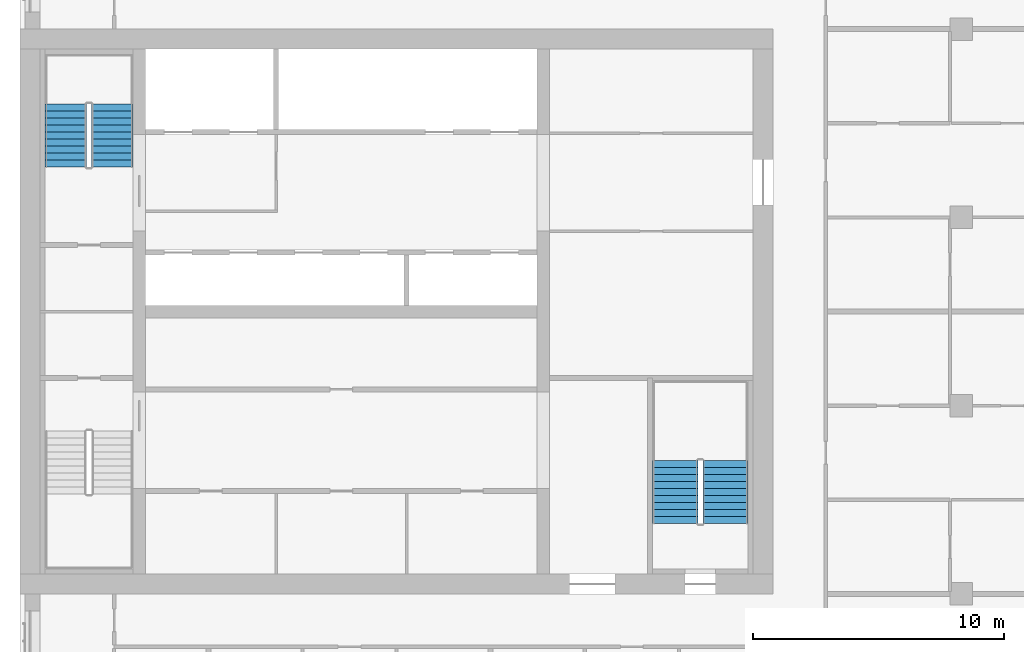
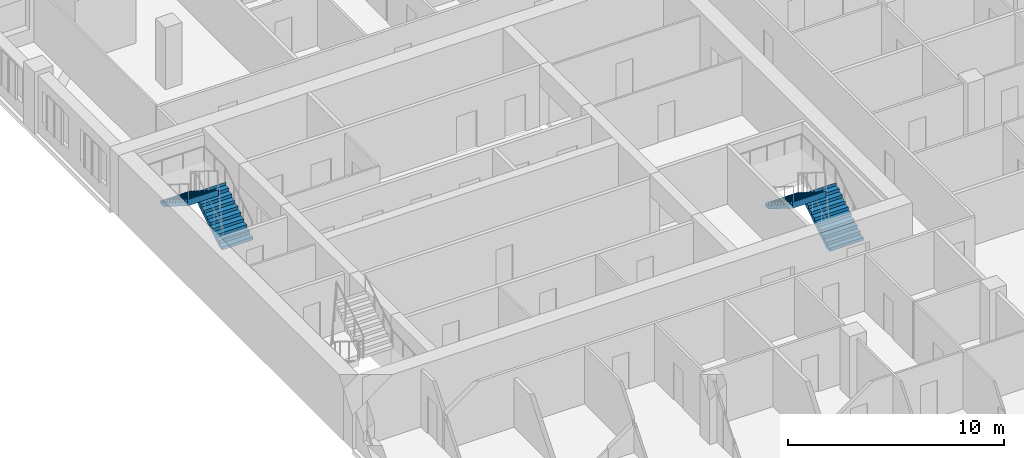
# One storey, part 13 of 14: 4 stair flights, 2 elements without a shape of their own.
"""IFC4 building model written with IfcOpenShell, lengths in metres."""

from ifc_helpers import new_model, si_unit, direction, frame, origin, place, context, subcontext, project, spatial, polyline, outline, extrude, material, type_object, element, aggregate, save


model = new_model("IFC4")

# Units and contexts
model_context = context("Model", 3, precision=1e-05, world=origin(), true_north=direction((0.0, 1.0)))
body_context = subcontext(model_context, "Body", "Model", "MODEL_VIEW")
ifc_project = project(units=[si_unit("LENGTHUNIT", "METRE"), si_unit("AREAUNIT", "SQUARE_METRE"), si_unit("VOLUMEUNIT", "CUBIC_METRE"), si_unit("PLANEANGLEUNIT", "RADIAN"), si_unit("MASSUNIT", "GRAM", prefix="KILO")], contexts=[model_context])

# Site, building, storey
site_placement = place(None, origin())
site = spatial("IfcSite", under=ifc_project, at=site_placement, CompositionType="ELEMENT")
building_placement = place(site_placement, origin())
building = spatial("IfcBuilding", under=site, at=building_placement, Name="Tamorin Gate", CompositionType="ELEMENT")
storey_placement = place(building_placement, frame((0.0, 0.0, 179.199951171875)))
storey = spatial("IfcBuildingStorey", under=building, at=storey_placement, Name="L43", CompositionType="ELEMENT", Elevation=179.199951171875)

# Stair, stair flights
ifc_material = material(Name="Concrete C40/50", Category="concrete")
stair_type = type_object("IfcStairType", Name="Exit stair", PredefinedType="HALF_TURN_STAIR", material=ifc_material)
stair_1_placement = place(storey_placement, origin())
stair_1 = element("IfcStair", 1, at=stair_1_placement, inside=storey, type_object=stair_type, Name="L43 stair ST2", PredefinedType="HALF_TURN_STAIR")
stair_flight_type = type_object("IfcStairFlightType", Name="Exit stair flight", PredefinedType="STRAIGHT", material=ifc_material)
stair_flight_1_placement = place(storey_placement, frame((33.675048828125, 77.0, 0.0), z_axis=(0.0, 0.0, 1.0), x_axis=(0.0, 1.0, 0.0)))
stair_flight_1 = element("IfcStairFlight", 2, at=stair_flight_1_placement, type_object=stair_flight_type, Name="ST2 flight 1", NumberOfRisers=10, NumberOfTreads=9, PredefinedType="STRAIGHT", RiserHeight=0.175, TreadLength=0.28, context=body_context, shape_type="SweptSolid", body=[
    extrude(outline(polyline([(-0.00048828125, 0.0), (-0.00048828125, 0.001708984375), (-0.00048828125, 0.00341796875), (-0.00048828125, 0.005126953125), (-0.00048828125, 0.0068359375), (-0.00048828125, 0.008544921875), (-0.00048828125, 0.010498046875), (-0.00048828125, 0.01220703125), (-0.00048828125, 0.013916015625), (-0.00048828125, 0.015625), (-0.00048828125, 0.017333984375), (-0.00048828125, 0.01904296875), (-0.00048828125, 0.020751953125), (-0.00048828125, 0.0224609375), (-0.00048828125, 0.024169921875), (-0.00048828125, 0.02587890625), (-0.00048828125, 0.02783203125), (-0.00048828125, 0.029541015625), (-0.00048828125, 0.03125), (-0.00048828125, 0.032958984375), (-0.00048828125, 0.03466796875), (-0.00048828125, 0.036376953125), (-0.00048828125, 0.0380859375), (-0.00048828125, 0.039794921875), (-0.00048828125, 0.04150390625), (-0.00048828125, 0.043212890625), (-0.00048828125, 0.045166015625), (-0.00048828125, 0.046875), (-0.00048828125, 0.048583984375), (-0.00048828125, 0.05029296875), (-0.00048828125, 0.052001953125), (-0.00048828125, 0.0537109375), (-0.00048828125, 0.055419921875), (-0.00048828125, 0.05712890625), (-0.00048828125, 0.058837890625), (-0.00048828125, 0.060546875), (-0.00048828125, 0.062255859375), (-0.00048828125, 0.064208984375), (-0.00048828125, 0.06591796875), (-0.00048828125, 0.067626953125), (-0.00048828125, 0.0693359375), (-0.00048828125, 0.071044921875), (-0.00048828125, 0.07275390625), (-0.00048828125, 0.074462890625), (-0.00048828125, 0.076171875), (-0.00048828125, 0.077880859375), (-0.00048828125, 0.07958984375), (-0.00048828125, 0.08154296875), (-0.00048828125, 0.083251953125), (-0.00048828125, 0.0849609375), (-0.00048828125, 0.086669921875), (-0.00048828125, 0.08837890625), (-0.00048828125, 0.090087890625), (-0.00048828125, 0.091796875), (-0.00048828125, 0.093505859375), (-0.00048828125, 0.09521484375), (-0.00048828125, 0.096923828125), (-0.00048828125, 0.098876953125), (-0.00048828125, 0.1005859375), (-0.00048828125, 0.102294921875), (-0.00048828125, 0.10400390625), (-0.00048828125, 0.105712890625), (-0.00048828125, 0.107421875), (-0.00048828125, 0.109130859375), (-0.00048828125, 0.11083984375), (-0.00048828125, 0.112548828125), (-0.00048828125, 0.1142578125), (-0.00048828125, 0.1162109375), (-0.00048828125, 0.117919921875), (-0.00048828125, 0.11962890625), (-0.00048828125, 0.121337890625), (-0.00048828125, 0.123046875), (-0.00048828125, 0.124755859375), (-0.00048828125, 0.12646484375), (-0.00048828125, 0.128173828125), (-0.00048828125, 0.1298828125), (-0.00048828125, 0.131591796875), (-0.00048828125, 0.13330078125), (-0.00048828125, 0.13525390625), (-0.00048828125, 0.136962890625), (-0.00048828125, 0.138671875), (-0.00048828125, 0.140380859375), (-0.00048828125, 0.14208984375), (-0.00048828125, 0.143798828125), (-0.00048828125, 0.1455078125), (-0.00048828125, 0.147216796875), (-0.00048828125, 0.14892578125), (-0.00048828125, 0.150634765625), (-0.00048828125, 0.152587890625), (-0.00048828125, 0.154296875), (-0.00048828125, 0.156005859375), (-0.00048828125, 0.15771484375), (-0.00048828125, 0.159423828125), (-0.00048828125, 0.1611328125), (-0.00048828125, 0.162841796875), (-0.00048828125, 0.16455078125), (-0.00048828125, 0.166259765625), (-0.00048828125, 0.16796875), (-0.00048828125, 0.169921875), (-0.00048828125, 0.171630859375), (-0.00048828125, 0.17333984375), (-0.00048828125, 0.175048828125), (0.280029296875, 0.175048828125), (0.280029296875, 0.35009765625), (0.56005859375, 0.35009765625), (0.56005859375, 0.52490234375), (0.840087890625, 0.52490234375), (0.840087890625, 0.699951171875), (1.1201171875, 0.699951171875), (1.1201171875, 0.875), (1.39990234375, 0.875), (1.39990234375, 1.050048828125), (1.679931640625, 1.050048828125), (1.679931640625, 1.22509765625), (1.9599609375, 1.22509765625), (1.9599609375, 1.39990234375), (2.239990234375, 1.39990234375), (2.239990234375, 1.574951171875), (2.52001953125, 1.574951171875), (2.52001953125, 1.75), (2.5205078125, 1.75), (2.5205078125, 1.74658203125), (2.5205078125, 1.742919921875), (2.5205078125, 1.739501953125), (2.5205078125, 1.736083984375), (2.5205078125, 1.732666015625), (2.5205078125, 1.72900390625), (2.5205078125, 1.7255859375), (2.5205078125, 1.72216796875), (2.5205078125, 1.71875), (2.5205078125, 1.715087890625), (2.5205078125, 1.711669921875), (2.5205078125, 1.708251953125), (2.5205078125, 1.704833984375), (2.5205078125, 1.701171875), (2.5205078125, 1.69775390625), (2.5205078125, 1.6943359375), (2.5205078125, 1.690673828125), (2.5205078125, 1.687255859375), (2.5205078125, 1.683837890625), (2.5205078125, 1.680419921875), (2.5205078125, 1.6767578125), (2.5205078125, 1.67333984375), (2.5205078125, 1.669921875), (2.5205078125, 1.66650390625), (2.5205078125, 1.662841796875), (2.5205078125, 1.659423828125), (2.5205078125, 1.656005859375), (2.5205078125, 1.652587890625), (2.5205078125, 1.64892578125), (2.5205078125, 1.6455078125), (2.5205078125, 1.64208984375), (2.5205078125, 1.638427734375), (2.5205078125, 1.635009765625), (2.5205078125, 1.631591796875), (2.5205078125, 1.628173828125), (2.5205078125, 1.62451171875), (2.5205078125, 1.62109375), (2.5205078125, 1.61767578125), (2.5205078125, 1.6142578125), (2.5205078125, 1.610595703125), (2.5205078125, 1.607177734375), (2.5205078125, 1.603759765625), (2.5205078125, 1.600341796875), (2.5205078125, 1.5966796875), (2.5205078125, 1.59326171875), (2.5205078125, 1.58984375), (2.5205078125, 1.58642578125), (2.5205078125, 1.582763671875), (2.5205078125, 1.579345703125), (2.5205078125, 1.575927734375), (2.5205078125, 1.572265625), (2.5205078125, 1.56884765625), (2.5205078125, 1.5654296875), (2.5205078125, 1.56201171875), (2.5205078125, 1.558349609375), (2.5205078125, 1.554931640625), (2.5205078125, 1.551513671875), (2.5205078125, 1.548095703125), (2.5205078125, 1.54443359375), (2.5205078125, 1.541015625), (2.5205078125, 1.53759765625), (2.5205078125, 1.5341796875), (2.5205078125, 1.530517578125), (2.5205078125, 1.527099609375), (2.5205078125, 1.523681640625), (2.5205078125, 1.52001953125), (2.5205078125, 1.5166015625), (2.5205078125, 1.51318359375), (2.5205078125, 1.509765625), (2.5205078125, 1.506103515625), (2.5205078125, 1.502685546875), (2.5205078125, 1.499267578125), (2.5205078125, 1.495849609375), (2.5205078125, 1.4921875), (2.5205078125, 1.48876953125), (2.5205078125, 1.4853515625), (2.5205078125, 1.48193359375), (2.5205078125, 1.478271484375), (2.5205078125, 1.474853515625), (2.5205078125, 1.471435546875), (2.5205078125, 1.4677734375), (2.5205078125, 1.46435546875), (2.5205078125, 1.4609375), (2.5205078125, 1.45751953125), (2.5205078125, 1.453857421875), (2.5205078125, 1.450439453125), (2.5205078125, 1.447021484375), (2.5205078125, 1.443603515625), (2.5205078125, 1.43994140625), (2.5205078125, 1.4365234375), (2.5205078125, 1.43310546875), (2.5205078125, 1.4296875), (2.5205078125, 1.426025390625), (2.5205078125, 1.422607421875), (2.5205078125, 1.419189453125), (2.5205078125, 1.41552734375), (2.5205078125, 1.412109375), (2.5205078125, 1.40869140625), (2.5205078125, 1.4052734375), (2.5205078125, 1.401611328125), (2.5205078125, 1.398193359375), (2.52001953125, 1.398193359375), (0.28271484375, 0.0), (-0.00048828125, 0.0)])), frame((0.0, 0.824951171875, 0.0), z_axis=(0.0, -1.0, 0.0), x_axis=(1.0, 0.0, 0.0)), (0.0, 0.0, 1.0), 1.64990234375),
])
stair_flight_2_placement = place(storey_placement, frame((31.824951171875, 79.52001953125, 1.75), z_axis=(0.0, 0.0, 1.0), x_axis=(0.0, -1.0, 0.0)))
stair_flight_2 = element("IfcStairFlight", 3, at=stair_flight_2_placement, type_object=stair_flight_type, Name="ST2 flight 2", NumberOfRisers=10, NumberOfTreads=9, PredefinedType="STRAIGHT", RiserHeight=0.175, TreadLength=0.28, context=body_context, shape_type="SweptSolid", body=[
    extrude(outline(polyline([(-0.00048828125, 0.0), (-0.00048828125, 0.001708984375), (-0.00048828125, 0.00341796875), (-0.00048828125, 0.005126953125), (-0.00048828125, 0.0068359375), (-0.00048828125, 0.008544921875), (-0.00048828125, 0.010498046875), (-0.00048828125, 0.01220703125), (-0.00048828125, 0.013916015625), (-0.00048828125, 0.015625), (-0.00048828125, 0.017333984375), (-0.00048828125, 0.01904296875), (-0.00048828125, 0.020751953125), (-0.00048828125, 0.0224609375), (-0.00048828125, 0.024169921875), (-0.00048828125, 0.02587890625), (-0.00048828125, 0.02783203125), (-0.00048828125, 0.029541015625), (-0.00048828125, 0.03125), (-0.00048828125, 0.032958984375), (-0.00048828125, 0.03466796875), (-0.00048828125, 0.036376953125), (-0.00048828125, 0.0380859375), (-0.00048828125, 0.039794921875), (-0.00048828125, 0.04150390625), (-0.00048828125, 0.043212890625), (-0.00048828125, 0.045166015625), (-0.00048828125, 0.046875), (-0.00048828125, 0.048583984375), (-0.00048828125, 0.05029296875), (-0.00048828125, 0.052001953125), (-0.00048828125, 0.0537109375), (-0.00048828125, 0.055419921875), (-0.00048828125, 0.05712890625), (-0.00048828125, 0.058837890625), (-0.00048828125, 0.060546875), (-0.00048828125, 0.062255859375), (-0.00048828125, 0.064208984375), (-0.00048828125, 0.06591796875), (-0.00048828125, 0.067626953125), (-0.00048828125, 0.0693359375), (-0.00048828125, 0.071044921875), (-0.00048828125, 0.07275390625), (-0.00048828125, 0.074462890625), (-0.00048828125, 0.076171875), (-0.00048828125, 0.077880859375), (-0.00048828125, 0.07958984375), (-0.00048828125, 0.08154296875), (-0.00048828125, 0.083251953125), (-0.00048828125, 0.0849609375), (-0.00048828125, 0.086669921875), (-0.00048828125, 0.08837890625), (-0.00048828125, 0.090087890625), (-0.00048828125, 0.091796875), (-0.00048828125, 0.093505859375), (-0.00048828125, 0.09521484375), (-0.00048828125, 0.096923828125), (-0.00048828125, 0.098876953125), (-0.00048828125, 0.1005859375), (-0.00048828125, 0.102294921875), (-0.00048828125, 0.10400390625), (-0.00048828125, 0.105712890625), (-0.00048828125, 0.107421875), (-0.00048828125, 0.109130859375), (-0.00048828125, 0.11083984375), (-0.00048828125, 0.112548828125), (-0.00048828125, 0.1142578125), (-0.00048828125, 0.1162109375), (-0.00048828125, 0.117919921875), (-0.00048828125, 0.11962890625), (-0.00048828125, 0.121337890625), (-0.00048828125, 0.123046875), (-0.00048828125, 0.124755859375), (-0.00048828125, 0.12646484375), (-0.00048828125, 0.128173828125), (-0.00048828125, 0.1298828125), (-0.00048828125, 0.131591796875), (-0.00048828125, 0.13330078125), (-0.00048828125, 0.13525390625), (-0.00048828125, 0.136962890625), (-0.00048828125, 0.138671875), (-0.00048828125, 0.140380859375), (-0.00048828125, 0.14208984375), (-0.00048828125, 0.143798828125), (-0.00048828125, 0.1455078125), (-0.00048828125, 0.147216796875), (-0.00048828125, 0.14892578125), (-0.00048828125, 0.150634765625), (-0.00048828125, 0.152587890625), (-0.00048828125, 0.154296875), (-0.00048828125, 0.156005859375), (-0.00048828125, 0.15771484375), (-0.00048828125, 0.159423828125), (-0.00048828125, 0.1611328125), (-0.00048828125, 0.162841796875), (-0.00048828125, 0.16455078125), (-0.00048828125, 0.166259765625), (-0.00048828125, 0.16796875), (-0.00048828125, 0.169921875), (-0.00048828125, 0.171630859375), (-0.00048828125, 0.17333984375), (-0.00048828125, 0.175048828125), (0.280029296875, 0.175048828125), (0.280029296875, 0.35009765625), (0.56005859375, 0.35009765625), (0.56005859375, 0.52490234375), (0.840087890625, 0.52490234375), (0.840087890625, 0.699951171875), (1.1201171875, 0.699951171875), (1.1201171875, 0.875), (1.39990234375, 0.875), (1.39990234375, 1.050048828125), (1.679931640625, 1.050048828125), (1.679931640625, 1.22509765625), (1.9599609375, 1.22509765625), (1.9599609375, 1.39990234375), (2.239990234375, 1.39990234375), (2.239990234375, 1.574951171875), (2.52001953125, 1.574951171875), (2.52001953125, 1.75), (2.5205078125, 1.75), (2.5205078125, 1.74658203125), (2.5205078125, 1.742919921875), (2.5205078125, 1.739501953125), (2.5205078125, 1.736083984375), (2.5205078125, 1.732666015625), (2.5205078125, 1.72900390625), (2.5205078125, 1.7255859375), (2.5205078125, 1.72216796875), (2.5205078125, 1.71875), (2.5205078125, 1.715087890625), (2.5205078125, 1.711669921875), (2.5205078125, 1.708251953125), (2.5205078125, 1.704833984375), (2.5205078125, 1.701171875), (2.5205078125, 1.69775390625), (2.5205078125, 1.6943359375), (2.5205078125, 1.690673828125), (2.5205078125, 1.687255859375), (2.5205078125, 1.683837890625), (2.5205078125, 1.680419921875), (2.5205078125, 1.6767578125), (2.5205078125, 1.67333984375), (2.5205078125, 1.669921875), (2.5205078125, 1.66650390625), (2.5205078125, 1.662841796875), (2.5205078125, 1.659423828125), (2.5205078125, 1.656005859375), (2.5205078125, 1.652587890625), (2.5205078125, 1.64892578125), (2.5205078125, 1.6455078125), (2.5205078125, 1.64208984375), (2.5205078125, 1.638427734375), (2.5205078125, 1.635009765625), (2.5205078125, 1.631591796875), (2.5205078125, 1.628173828125), (2.5205078125, 1.62451171875), (2.5205078125, 1.62109375), (2.5205078125, 1.61767578125), (2.5205078125, 1.6142578125), (2.5205078125, 1.610595703125), (2.5205078125, 1.607177734375), (2.5205078125, 1.603759765625), (2.5205078125, 1.600341796875), (2.5205078125, 1.5966796875), (2.5205078125, 1.59326171875), (2.5205078125, 1.58984375), (2.5205078125, 1.58642578125), (2.5205078125, 1.582763671875), (2.5205078125, 1.579345703125), (2.5205078125, 1.575927734375), (2.5205078125, 1.572265625), (2.5205078125, 1.56884765625), (2.5205078125, 1.5654296875), (2.5205078125, 1.56201171875), (2.5205078125, 1.558349609375), (2.5205078125, 1.554931640625), (2.5205078125, 1.551513671875), (2.5205078125, 1.548095703125), (2.5205078125, 1.54443359375), (2.5205078125, 1.541015625), (2.5205078125, 1.53759765625), (2.5205078125, 1.5341796875), (2.5205078125, 1.530517578125), (2.5205078125, 1.527099609375), (2.5205078125, 1.523681640625), (2.5205078125, 1.52001953125), (2.5205078125, 1.5166015625), (2.5205078125, 1.51318359375), (2.5205078125, 1.509765625), (2.5205078125, 1.506103515625), (2.5205078125, 1.502685546875), (2.5205078125, 1.499267578125), (2.5205078125, 1.495849609375), (2.5205078125, 1.4921875), (2.5205078125, 1.48876953125), (2.5205078125, 1.4853515625), (2.5205078125, 1.48193359375), (2.5205078125, 1.478271484375), (2.5205078125, 1.474853515625), (2.5205078125, 1.471435546875), (2.5205078125, 1.4677734375), (2.5205078125, 1.46435546875), (2.5205078125, 1.4609375), (2.5205078125, 1.45751953125), (2.5205078125, 1.453857421875), (2.5205078125, 1.450439453125), (2.5205078125, 1.447021484375), (2.5205078125, 1.443603515625), (2.5205078125, 1.43994140625), (2.5205078125, 1.4365234375), (2.5205078125, 1.43310546875), (2.5205078125, 1.4296875), (2.5205078125, 1.426025390625), (2.5205078125, 1.422607421875), (2.5205078125, 1.419189453125), (2.5205078125, 1.41552734375), (2.5205078125, 1.412109375), (2.5205078125, 1.40869140625), (2.5205078125, 1.4052734375), (2.5205078125, 1.401611328125), (2.5205078125, 1.398193359375), (2.52001953125, 1.398193359375), (0.28271484375, 0.0), (-0.00048828125, 0.0)])), frame((0.0, 0.824951171875, 0.0), z_axis=(0.0, -1.0, 0.0), x_axis=(1.0, 0.0, 0.0)), (0.0, 0.0, 1.0), 1.64990234375),
])
aggregate(stair_1, [stair_flight_1, stair_flight_2])

stair_2_placement = place(storey_placement, origin())
stair_2 = element("IfcStair", 4, at=stair_2_placement, inside=storey, type_object=stair_type, Name="L43 stair ST3", PredefinedType="HALF_TURN_STAIR")
stair_flight_3_placement = place(storey_placement, frame((58.10009765625, 62.800048828125, 0.0), z_axis=(0.0, 0.0, 1.0), x_axis=(0.0, 1.0, 0.0)))
stair_flight_3 = element("IfcStairFlight", 5, at=stair_flight_3_placement, type_object=stair_flight_type, Name="ST3 flight 1", NumberOfRisers=10, NumberOfTreads=9, PredefinedType="STRAIGHT", RiserHeight=0.175, TreadLength=0.28, context=body_context, shape_type="SweptSolid", body=[
    extrude(outline(polyline([(-0.00048828125, 0.0), (-0.00048828125, 0.001708984375), (-0.00048828125, 0.00341796875), (-0.00048828125, 0.005126953125), (-0.00048828125, 0.0068359375), (-0.00048828125, 0.008544921875), (-0.00048828125, 0.010498046875), (-0.00048828125, 0.01220703125), (-0.00048828125, 0.013916015625), (-0.00048828125, 0.015625), (-0.00048828125, 0.017333984375), (-0.00048828125, 0.01904296875), (-0.00048828125, 0.020751953125), (-0.00048828125, 0.0224609375), (-0.00048828125, 0.024169921875), (-0.00048828125, 0.02587890625), (-0.00048828125, 0.02783203125), (-0.00048828125, 0.029541015625), (-0.00048828125, 0.03125), (-0.00048828125, 0.032958984375), (-0.00048828125, 0.03466796875), (-0.00048828125, 0.036376953125), (-0.00048828125, 0.0380859375), (-0.00048828125, 0.039794921875), (-0.00048828125, 0.04150390625), (-0.00048828125, 0.043212890625), (-0.00048828125, 0.045166015625), (-0.00048828125, 0.046875), (-0.00048828125, 0.048583984375), (-0.00048828125, 0.05029296875), (-0.00048828125, 0.052001953125), (-0.00048828125, 0.0537109375), (-0.00048828125, 0.055419921875), (-0.00048828125, 0.05712890625), (-0.00048828125, 0.058837890625), (-0.00048828125, 0.060546875), (-0.00048828125, 0.062255859375), (-0.00048828125, 0.064208984375), (-0.00048828125, 0.06591796875), (-0.00048828125, 0.067626953125), (-0.00048828125, 0.0693359375), (-0.00048828125, 0.071044921875), (-0.00048828125, 0.07275390625), (-0.00048828125, 0.074462890625), (-0.00048828125, 0.076171875), (-0.00048828125, 0.077880859375), (-0.00048828125, 0.07958984375), (-0.00048828125, 0.08154296875), (-0.00048828125, 0.083251953125), (-0.00048828125, 0.0849609375), (-0.00048828125, 0.086669921875), (-0.00048828125, 0.08837890625), (-0.00048828125, 0.090087890625), (-0.00048828125, 0.091796875), (-0.00048828125, 0.093505859375), (-0.00048828125, 0.09521484375), (-0.00048828125, 0.096923828125), (-0.00048828125, 0.098876953125), (-0.00048828125, 0.1005859375), (-0.00048828125, 0.102294921875), (-0.00048828125, 0.10400390625), (-0.00048828125, 0.105712890625), (-0.00048828125, 0.107421875), (-0.00048828125, 0.109130859375), (-0.00048828125, 0.11083984375), (-0.00048828125, 0.112548828125), (-0.00048828125, 0.1142578125), (-0.00048828125, 0.1162109375), (-0.00048828125, 0.117919921875), (-0.00048828125, 0.11962890625), (-0.00048828125, 0.121337890625), (-0.00048828125, 0.123046875), (-0.00048828125, 0.124755859375), (-0.00048828125, 0.12646484375), (-0.00048828125, 0.128173828125), (-0.00048828125, 0.1298828125), (-0.00048828125, 0.131591796875), (-0.00048828125, 0.13330078125), (-0.00048828125, 0.13525390625), (-0.00048828125, 0.136962890625), (-0.00048828125, 0.138671875), (-0.00048828125, 0.140380859375), (-0.00048828125, 0.14208984375), (-0.00048828125, 0.143798828125), (-0.00048828125, 0.1455078125), (-0.00048828125, 0.147216796875), (-0.00048828125, 0.14892578125), (-0.00048828125, 0.150634765625), (-0.00048828125, 0.152587890625), (-0.00048828125, 0.154296875), (-0.00048828125, 0.156005859375), (-0.00048828125, 0.15771484375), (-0.00048828125, 0.159423828125), (-0.00048828125, 0.1611328125), (-0.00048828125, 0.162841796875), (-0.00048828125, 0.16455078125), (-0.00048828125, 0.166259765625), (-0.00048828125, 0.16796875), (-0.00048828125, 0.169921875), (-0.00048828125, 0.171630859375), (-0.00048828125, 0.17333984375), (-0.00048828125, 0.175048828125), (0.280029296875, 0.175048828125), (0.280029296875, 0.35009765625), (0.56005859375, 0.35009765625), (0.56005859375, 0.52490234375), (0.840087890625, 0.52490234375), (0.840087890625, 0.699951171875), (1.1201171875, 0.699951171875), (1.1201171875, 0.875), (1.39990234375, 0.875), (1.39990234375, 1.050048828125), (1.679931640625, 1.050048828125), (1.679931640625, 1.22509765625), (1.9599609375, 1.22509765625), (1.9599609375, 1.39990234375), (2.239990234375, 1.39990234375), (2.239990234375, 1.574951171875), (2.52001953125, 1.574951171875), (2.52001953125, 1.75), (2.5205078125, 1.75), (2.5205078125, 1.74658203125), (2.5205078125, 1.742919921875), (2.5205078125, 1.739501953125), (2.5205078125, 1.736083984375), (2.5205078125, 1.732666015625), (2.5205078125, 1.72900390625), (2.5205078125, 1.7255859375), (2.5205078125, 1.72216796875), (2.5205078125, 1.71875), (2.5205078125, 1.715087890625), (2.5205078125, 1.711669921875), (2.5205078125, 1.708251953125), (2.5205078125, 1.704833984375), (2.5205078125, 1.701171875), (2.5205078125, 1.69775390625), (2.5205078125, 1.6943359375), (2.5205078125, 1.690673828125), (2.5205078125, 1.687255859375), (2.5205078125, 1.683837890625), (2.5205078125, 1.680419921875), (2.5205078125, 1.6767578125), (2.5205078125, 1.67333984375), (2.5205078125, 1.669921875), (2.5205078125, 1.66650390625), (2.5205078125, 1.662841796875), (2.5205078125, 1.659423828125), (2.5205078125, 1.656005859375), (2.5205078125, 1.652587890625), (2.5205078125, 1.64892578125), (2.5205078125, 1.6455078125), (2.5205078125, 1.64208984375), (2.5205078125, 1.638427734375), (2.5205078125, 1.635009765625), (2.5205078125, 1.631591796875), (2.5205078125, 1.628173828125), (2.5205078125, 1.62451171875), (2.5205078125, 1.62109375), (2.5205078125, 1.61767578125), (2.5205078125, 1.6142578125), (2.5205078125, 1.610595703125), (2.5205078125, 1.607177734375), (2.5205078125, 1.603759765625), (2.5205078125, 1.600341796875), (2.5205078125, 1.5966796875), (2.5205078125, 1.59326171875), (2.5205078125, 1.58984375), (2.5205078125, 1.58642578125), (2.5205078125, 1.582763671875), (2.5205078125, 1.579345703125), (2.5205078125, 1.575927734375), (2.5205078125, 1.572265625), (2.5205078125, 1.56884765625), (2.5205078125, 1.5654296875), (2.5205078125, 1.56201171875), (2.5205078125, 1.558349609375), (2.5205078125, 1.554931640625), (2.5205078125, 1.551513671875), (2.5205078125, 1.548095703125), (2.5205078125, 1.54443359375), (2.5205078125, 1.541015625), (2.5205078125, 1.53759765625), (2.5205078125, 1.5341796875), (2.5205078125, 1.530517578125), (2.5205078125, 1.527099609375), (2.5205078125, 1.523681640625), (2.5205078125, 1.52001953125), (2.5205078125, 1.5166015625), (2.5205078125, 1.51318359375), (2.5205078125, 1.509765625), (2.5205078125, 1.506103515625), (2.5205078125, 1.502685546875), (2.5205078125, 1.499267578125), (2.5205078125, 1.495849609375), (2.5205078125, 1.4921875), (2.5205078125, 1.48876953125), (2.5205078125, 1.4853515625), (2.5205078125, 1.48193359375), (2.5205078125, 1.478271484375), (2.5205078125, 1.474853515625), (2.5205078125, 1.471435546875), (2.5205078125, 1.4677734375), (2.5205078125, 1.46435546875), (2.5205078125, 1.4609375), (2.5205078125, 1.45751953125), (2.5205078125, 1.453857421875), (2.5205078125, 1.450439453125), (2.5205078125, 1.447021484375), (2.5205078125, 1.443603515625), (2.5205078125, 1.43994140625), (2.5205078125, 1.4365234375), (2.5205078125, 1.43310546875), (2.5205078125, 1.4296875), (2.5205078125, 1.426025390625), (2.5205078125, 1.422607421875), (2.5205078125, 1.419189453125), (2.5205078125, 1.41552734375), (2.5205078125, 1.412109375), (2.5205078125, 1.40869140625), (2.5205078125, 1.4052734375), (2.5205078125, 1.401611328125), (2.5205078125, 1.398193359375), (2.52001953125, 1.398193359375), (0.28271484375, 0.0), (-0.00048828125, 0.0)])), frame((0.0, 0.89990234375, 0.0), z_axis=(0.0, -1.0, 0.0), x_axis=(1.0, 0.0, 0.0)), (0.0, 0.0, 1.0), 1.800048828125),
])
stair_flight_4_placement = place(storey_placement, frame((56.10009765625, 65.320068359375, 1.75), z_axis=(0.0, 0.0, 1.0), x_axis=(0.0, -1.0, 0.0)))
stair_flight_4 = element("IfcStairFlight", 6, at=stair_flight_4_placement, type_object=stair_flight_type, Name="ST3 flight 2", NumberOfRisers=10, NumberOfTreads=9, PredefinedType="STRAIGHT", RiserHeight=0.175, TreadLength=0.28, context=body_context, shape_type="SweptSolid", body=[
    extrude(outline(polyline([(-0.00048828125, 0.0), (-0.00048828125, 0.001708984375), (-0.00048828125, 0.00341796875), (-0.00048828125, 0.005126953125), (-0.00048828125, 0.0068359375), (-0.00048828125, 0.008544921875), (-0.00048828125, 0.010498046875), (-0.00048828125, 0.01220703125), (-0.00048828125, 0.013916015625), (-0.00048828125, 0.015625), (-0.00048828125, 0.017333984375), (-0.00048828125, 0.01904296875), (-0.00048828125, 0.020751953125), (-0.00048828125, 0.0224609375), (-0.00048828125, 0.024169921875), (-0.00048828125, 0.02587890625), (-0.00048828125, 0.02783203125), (-0.00048828125, 0.029541015625), (-0.00048828125, 0.03125), (-0.00048828125, 0.032958984375), (-0.00048828125, 0.03466796875), (-0.00048828125, 0.036376953125), (-0.00048828125, 0.0380859375), (-0.00048828125, 0.039794921875), (-0.00048828125, 0.04150390625), (-0.00048828125, 0.043212890625), (-0.00048828125, 0.045166015625), (-0.00048828125, 0.046875), (-0.00048828125, 0.048583984375), (-0.00048828125, 0.05029296875), (-0.00048828125, 0.052001953125), (-0.00048828125, 0.0537109375), (-0.00048828125, 0.055419921875), (-0.00048828125, 0.05712890625), (-0.00048828125, 0.058837890625), (-0.00048828125, 0.060546875), (-0.00048828125, 0.062255859375), (-0.00048828125, 0.064208984375), (-0.00048828125, 0.06591796875), (-0.00048828125, 0.067626953125), (-0.00048828125, 0.0693359375), (-0.00048828125, 0.071044921875), (-0.00048828125, 0.07275390625), (-0.00048828125, 0.074462890625), (-0.00048828125, 0.076171875), (-0.00048828125, 0.077880859375), (-0.00048828125, 0.07958984375), (-0.00048828125, 0.08154296875), (-0.00048828125, 0.083251953125), (-0.00048828125, 0.0849609375), (-0.00048828125, 0.086669921875), (-0.00048828125, 0.08837890625), (-0.00048828125, 0.090087890625), (-0.00048828125, 0.091796875), (-0.00048828125, 0.093505859375), (-0.00048828125, 0.09521484375), (-0.00048828125, 0.096923828125), (-0.00048828125, 0.098876953125), (-0.00048828125, 0.1005859375), (-0.00048828125, 0.102294921875), (-0.00048828125, 0.10400390625), (-0.00048828125, 0.105712890625), (-0.00048828125, 0.107421875), (-0.00048828125, 0.109130859375), (-0.00048828125, 0.11083984375), (-0.00048828125, 0.112548828125), (-0.00048828125, 0.1142578125), (-0.00048828125, 0.1162109375), (-0.00048828125, 0.117919921875), (-0.00048828125, 0.11962890625), (-0.00048828125, 0.121337890625), (-0.00048828125, 0.123046875), (-0.00048828125, 0.124755859375), (-0.00048828125, 0.12646484375), (-0.00048828125, 0.128173828125), (-0.00048828125, 0.1298828125), (-0.00048828125, 0.131591796875), (-0.00048828125, 0.13330078125), (-0.00048828125, 0.13525390625), (-0.00048828125, 0.136962890625), (-0.00048828125, 0.138671875), (-0.00048828125, 0.140380859375), (-0.00048828125, 0.14208984375), (-0.00048828125, 0.143798828125), (-0.00048828125, 0.1455078125), (-0.00048828125, 0.147216796875), (-0.00048828125, 0.14892578125), (-0.00048828125, 0.150634765625), (-0.00048828125, 0.152587890625), (-0.00048828125, 0.154296875), (-0.00048828125, 0.156005859375), (-0.00048828125, 0.15771484375), (-0.00048828125, 0.159423828125), (-0.00048828125, 0.1611328125), (-0.00048828125, 0.162841796875), (-0.00048828125, 0.16455078125), (-0.00048828125, 0.166259765625), (-0.00048828125, 0.16796875), (-0.00048828125, 0.169921875), (-0.00048828125, 0.171630859375), (-0.00048828125, 0.17333984375), (-0.00048828125, 0.175048828125), (0.280029296875, 0.175048828125), (0.280029296875, 0.35009765625), (0.56005859375, 0.35009765625), (0.56005859375, 0.52490234375), (0.840087890625, 0.52490234375), (0.840087890625, 0.699951171875), (1.1201171875, 0.699951171875), (1.1201171875, 0.875), (1.39990234375, 0.875), (1.39990234375, 1.050048828125), (1.679931640625, 1.050048828125), (1.679931640625, 1.22509765625), (1.9599609375, 1.22509765625), (1.9599609375, 1.39990234375), (2.239990234375, 1.39990234375), (2.239990234375, 1.574951171875), (2.52001953125, 1.574951171875), (2.52001953125, 1.75), (2.5205078125, 1.75), (2.5205078125, 1.74658203125), (2.5205078125, 1.742919921875), (2.5205078125, 1.739501953125), (2.5205078125, 1.736083984375), (2.5205078125, 1.732666015625), (2.5205078125, 1.72900390625), (2.5205078125, 1.7255859375), (2.5205078125, 1.72216796875), (2.5205078125, 1.71875), (2.5205078125, 1.715087890625), (2.5205078125, 1.711669921875), (2.5205078125, 1.708251953125), (2.5205078125, 1.704833984375), (2.5205078125, 1.701171875), (2.5205078125, 1.69775390625), (2.5205078125, 1.6943359375), (2.5205078125, 1.690673828125), (2.5205078125, 1.687255859375), (2.5205078125, 1.683837890625), (2.5205078125, 1.680419921875), (2.5205078125, 1.6767578125), (2.5205078125, 1.67333984375), (2.5205078125, 1.669921875), (2.5205078125, 1.66650390625), (2.5205078125, 1.662841796875), (2.5205078125, 1.659423828125), (2.5205078125, 1.656005859375), (2.5205078125, 1.652587890625), (2.5205078125, 1.64892578125), (2.5205078125, 1.6455078125), (2.5205078125, 1.64208984375), (2.5205078125, 1.638427734375), (2.5205078125, 1.635009765625), (2.5205078125, 1.631591796875), (2.5205078125, 1.628173828125), (2.5205078125, 1.62451171875), (2.5205078125, 1.62109375), (2.5205078125, 1.61767578125), (2.5205078125, 1.6142578125), (2.5205078125, 1.610595703125), (2.5205078125, 1.607177734375), (2.5205078125, 1.603759765625), (2.5205078125, 1.600341796875), (2.5205078125, 1.5966796875), (2.5205078125, 1.59326171875), (2.5205078125, 1.58984375), (2.5205078125, 1.58642578125), (2.5205078125, 1.582763671875), (2.5205078125, 1.579345703125), (2.5205078125, 1.575927734375), (2.5205078125, 1.572265625), (2.5205078125, 1.56884765625), (2.5205078125, 1.5654296875), (2.5205078125, 1.56201171875), (2.5205078125, 1.558349609375), (2.5205078125, 1.554931640625), (2.5205078125, 1.551513671875), (2.5205078125, 1.548095703125), (2.5205078125, 1.54443359375), (2.5205078125, 1.541015625), (2.5205078125, 1.53759765625), (2.5205078125, 1.5341796875), (2.5205078125, 1.530517578125), (2.5205078125, 1.527099609375), (2.5205078125, 1.523681640625), (2.5205078125, 1.52001953125), (2.5205078125, 1.5166015625), (2.5205078125, 1.51318359375), (2.5205078125, 1.509765625), (2.5205078125, 1.506103515625), (2.5205078125, 1.502685546875), (2.5205078125, 1.499267578125), (2.5205078125, 1.495849609375), (2.5205078125, 1.4921875), (2.5205078125, 1.48876953125), (2.5205078125, 1.4853515625), (2.5205078125, 1.48193359375), (2.5205078125, 1.478271484375), (2.5205078125, 1.474853515625), (2.5205078125, 1.471435546875), (2.5205078125, 1.4677734375), (2.5205078125, 1.46435546875), (2.5205078125, 1.4609375), (2.5205078125, 1.45751953125), (2.5205078125, 1.453857421875), (2.5205078125, 1.450439453125), (2.5205078125, 1.447021484375), (2.5205078125, 1.443603515625), (2.5205078125, 1.43994140625), (2.5205078125, 1.4365234375), (2.5205078125, 1.43310546875), (2.5205078125, 1.4296875), (2.5205078125, 1.426025390625), (2.5205078125, 1.422607421875), (2.5205078125, 1.419189453125), (2.5205078125, 1.41552734375), (2.5205078125, 1.412109375), (2.5205078125, 1.40869140625), (2.5205078125, 1.4052734375), (2.5205078125, 1.401611328125), (2.5205078125, 1.398193359375), (2.52001953125, 1.398193359375), (0.28271484375, 0.0), (-0.00048828125, 0.0)])), frame((0.0, 0.89990234375, 0.0), z_axis=(0.0, -1.0, 0.0), x_axis=(1.0, 0.0, 0.0)), (0.0, 0.0, 1.0), 1.800048828125),
])
aggregate(stair_2, [stair_flight_3, stair_flight_4])

save(model, "model.ifc")
